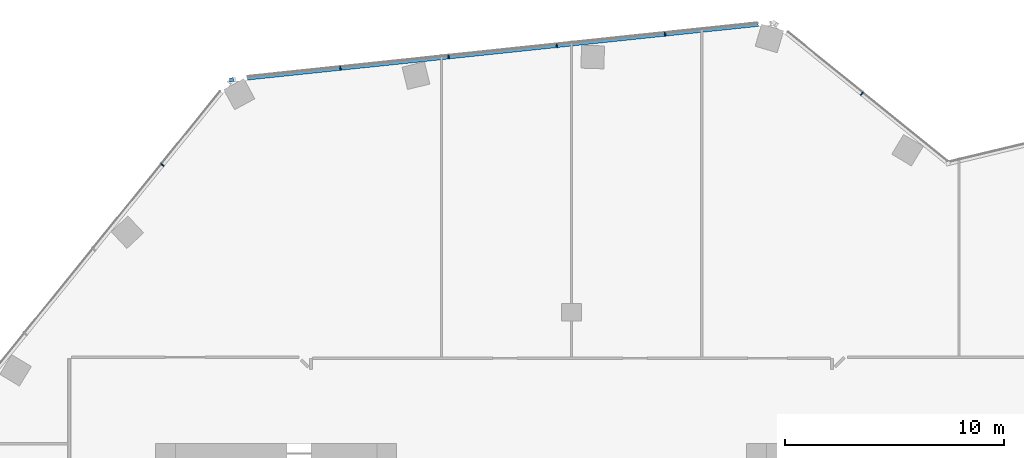
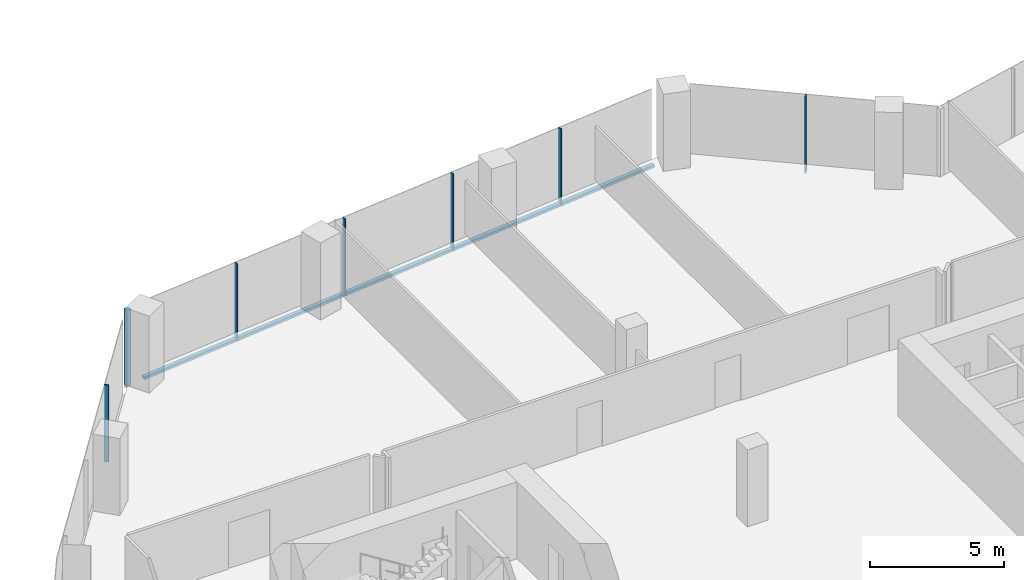
# One storey, part 11 of 23: 8 members, 3 elements without a shape of their own.
"""IFC4 building model written with IfcOpenShell, lengths in metres."""

from ifc_helpers import new_model, si_unit, direction, frame, origin, origin_2d, place, context, subcontext, project, spatial, rectangle, extrude, material, material_profile, profile_set, type_object, element, aggregate, save


model = new_model("IFC4")

# Units and contexts
model_context = context("Model", 3, precision=1e-05, world=origin(), true_north=direction((0.0, 1.0)))
body_context = subcontext(model_context, "Body", "Model", "MODEL_VIEW")
ifc_project = project(units=[si_unit("LENGTHUNIT", "METRE"), si_unit("AREAUNIT", "SQUARE_METRE"), si_unit("VOLUMEUNIT", "CUBIC_METRE"), si_unit("PLANEANGLEUNIT", "RADIAN"), si_unit("MASSUNIT", "GRAM", prefix="KILO")], contexts=[model_context])

# Site, building, storey
site_placement = place(None, origin())
site = spatial("IfcSite", under=ifc_project, at=site_placement, CompositionType="ELEMENT")
building_placement = place(site_placement, origin())
building = spatial("IfcBuilding", under=site, at=building_placement, Name="Orlundy Tower", CompositionType="ELEMENT")
storey_placement = place(building_placement, frame((0.0, 0.0, 221.0)))
storey = spatial("IfcBuildingStorey", under=building, at=storey_placement, Name="L58", CompositionType="ELEMENT", Elevation=221.0)

# Curtain wall, member
ifc_material_1 = material(Name="Aluminium bronze anodised", Category="aluminium")
curtain_wall_type = type_object("IfcCurtainWallType", Name="CW1 wall", PredefinedType="NOTDEFINED", material=ifc_material_1)
curtain_wall_1_placement = place(storey_placement, origin())
curtain_wall_1 = element("IfcCurtainWall", 1, at=curtain_wall_1_placement, inside=storey, type_object=curtain_wall_type, Name="CW1 run 04", PredefinedType="NOTDEFINED")
ifc_material_2 = material(Name="Aluminium bronze anodised", Category="aluminium")
ifc_material_profile_1 = material_profile(ifc_material_2, rectangle(XDim=0.179931640625, YDim=0.179931640625, at=origin_2d()), Name="CW1 corner post 180x180")
ifc_profile_set_1 = profile_set([ifc_material_profile_1], Name="Aluminium bronze anodised")
member_type_1 = type_object("IfcMemberType", Name="CW1 corner post 180x180", PredefinedType="MULLION", material=ifc_profile_set_1)
member_1_placement = place(storey_placement, frame((-15.54052734375, 28.62255859375, -0.419921875), z_axis=(0.0, 0.0, 1.0), x_axis=(-0.104538162943, 0.994520875843, 0.0)))
member_1 = element("IfcMember", 2, at=member_1_placement, type_object=member_type_1, Name="CW1 mullion 15", PredefinedType="MULLION", context=body_context, shape_type="SweptSolid", body=[
    extrude(rectangle(XDim=0.179931640625, YDim=0.179931640625, at=origin_2d()), origin(), (0.0, 0.0, 1.0), 3.5),
])

curtain_wall_2_placement = place(storey_placement, origin())
curtain_wall_2 = element("IfcCurtainWall", 3, at=curtain_wall_2_placement, inside=storey, type_object=curtain_wall_type, Name="CW1 run 03", PredefinedType="NOTDEFINED")
ifc_material_3 = material(Name="Aluminium bronze anodised", Category="aluminium")
ifc_material_profile_2 = material_profile(ifc_material_3, rectangle(XDim=0.179931640625, YDim=0.050048828125, at=origin_2d()), Name="CW1 mullion 50x180")
ifc_profile_set_2 = profile_set([ifc_material_profile_2], Name="Aluminium bronze anodised")
member_type_2 = type_object("IfcMemberType", Name="CW1 mullion 50x180", PredefinedType="MULLION", material=ifc_profile_set_2)
member_2_placement = place(storey_placement, frame((-18.692138671875, 24.730712890625, -0.419921875), z_axis=(0.0, 0.0, 1.0), x_axis=(-0.777145540374, 0.629320911043, 0.0)))
member_2 = element("IfcMember", 4, at=member_2_placement, type_object=member_type_2, Name="CW1 mullion 14", PredefinedType="MULLION", context=body_context, shape_type="SweptSolid", body=[
    extrude(rectangle(XDim=0.179931640625, YDim=0.050048828125, at=origin_2d()), origin(), (0.0, 0.0, 1.0), 3.5),
])
aggregate(curtain_wall_2, [member_2])

# Member
member_3_placement = place(storey_placement, frame((-10.560302734375, 29.14599609375, -0.419921875), z_axis=(0.0, 0.0, 1.0), x_axis=(-0.104538162943, 0.994520875843, 0.0)))
member_3 = element("IfcMember", 5, at=member_3_placement, type_object=member_type_2, Name="CW1 mullion 16", PredefinedType="MULLION", context=body_context, shape_type="SweptSolid", body=[
    extrude(rectangle(XDim=0.179931640625, YDim=0.050048828125, at=origin_2d()), origin(), (0.0, 0.0, 1.0), 3.5),
])

member_4_placement = place(storey_placement, frame((-5.616943359375, 29.665771484375, -0.419921875), z_axis=(0.0, 0.0, 1.0), x_axis=(-0.104538162943, 0.994520875843, 0.0)))
member_4 = element("IfcMember", 6, at=member_4_placement, type_object=member_type_2, Name="CW1 mullion 17", PredefinedType="MULLION", context=body_context, shape_type="SweptSolid", body=[
    extrude(rectangle(XDim=0.179931640625, YDim=0.050048828125, at=origin_2d()), origin(), (0.0, 0.0, 1.0), 3.5),
])

member_5_placement = place(storey_placement, frame((-0.673828125, 30.185302734375, -0.419921875), z_axis=(0.0, 0.0, 1.0), x_axis=(-0.104538162943, 0.994520875843, 0.0)))
member_5 = element("IfcMember", 7, at=member_5_placement, type_object=member_type_2, Name="CW1 mullion 18", PredefinedType="MULLION", context=body_context, shape_type="SweptSolid", body=[
    extrude(rectangle(XDim=0.179931640625, YDim=0.050048828125, at=origin_2d()), origin(), (0.0, 0.0, 1.0), 3.5),
])

member_6_placement = place(storey_placement, frame((4.269287109375, 30.704833984375, -0.419921875), z_axis=(0.0, 0.0, 1.0), x_axis=(-0.104538162943, 0.994520875843, 0.0)))
member_6 = element("IfcMember", 8, at=member_6_placement, type_object=member_type_2, Name="CW1 mullion 19", PredefinedType="MULLION", context=body_context, shape_type="SweptSolid", body=[
    extrude(rectangle(XDim=0.179931640625, YDim=0.050048828125, at=origin_2d()), origin(), (0.0, 0.0, 1.0), 3.5),
])

# Curtain wall, member
curtain_wall_3_placement = place(storey_placement, origin())
curtain_wall_3 = element("IfcCurtainWall", 9, at=curtain_wall_3_placement, inside=storey, type_object=curtain_wall_type, Name="CW1 run 05", PredefinedType="NOTDEFINED")
member_7_placement = place(storey_placement, frame((13.256591796875, 27.9833984375, -0.419921875), z_axis=(0.0, 0.0, 1.0), x_axis=(0.629341524139, 0.777128847743, 0.0)))
member_7 = element("IfcMember", 10, at=member_7_placement, type_object=member_type_2, Name="CW1 mullion 21", PredefinedType="MULLION", context=body_context, shape_type="SweptSolid", body=[
    extrude(rectangle(XDim=0.179931640625, YDim=0.050048828125, at=origin_2d()), origin(), (0.0, 0.0, 1.0), 3.5),
])
aggregate(curtain_wall_3, [member_7])

# Member
ifc_material_4 = material(Name="Aluminium bronze anodised", Category="aluminium")
ifc_material_profile_3 = material_profile(ifc_material_4, rectangle(XDim=0.179931640625, YDim=0.1201171875, at=origin_2d()), Name="CW1 transom 180x120")
ifc_profile_set_3 = profile_set([ifc_material_profile_3], Name="Aluminium bronze anodised")
member_type_3 = type_object("IfcMemberType", Name="CW1 transom 180x120", PredefinedType="USERDEFINED", material=ifc_profile_set_3)
member_8_placement = place(storey_placement, frame((-14.81396484375, 28.698974609375, -0.360107421875), z_axis=(0.994520834268, 0.10453855847, 0.0), x_axis=(-0.10453855847, 0.994520834268, 0.0)))
member_8 = element("IfcMember", 11, at=member_8_placement, type_object=member_type_3, Name="CW1 transom", ObjectType="TRANSOM", PredefinedType="USERDEFINED", context=body_context, shape_type="SweptSolid", body=[
    extrude(rectangle(XDim=0.179931640625, YDim=0.1201171875, at=origin_2d()), origin(), (0.0, 0.0, 1.0), 23.46630859375),
])

aggregate(curtain_wall_1, [member_1, member_3, member_4, member_5, member_6, member_8])

save(model, "model.ifc")
